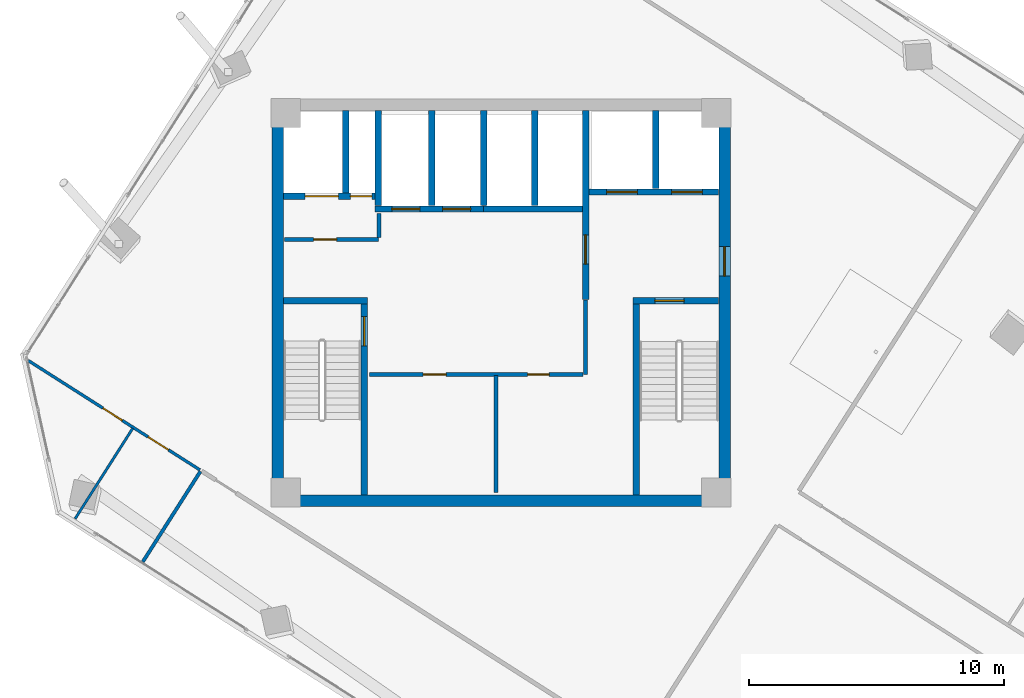
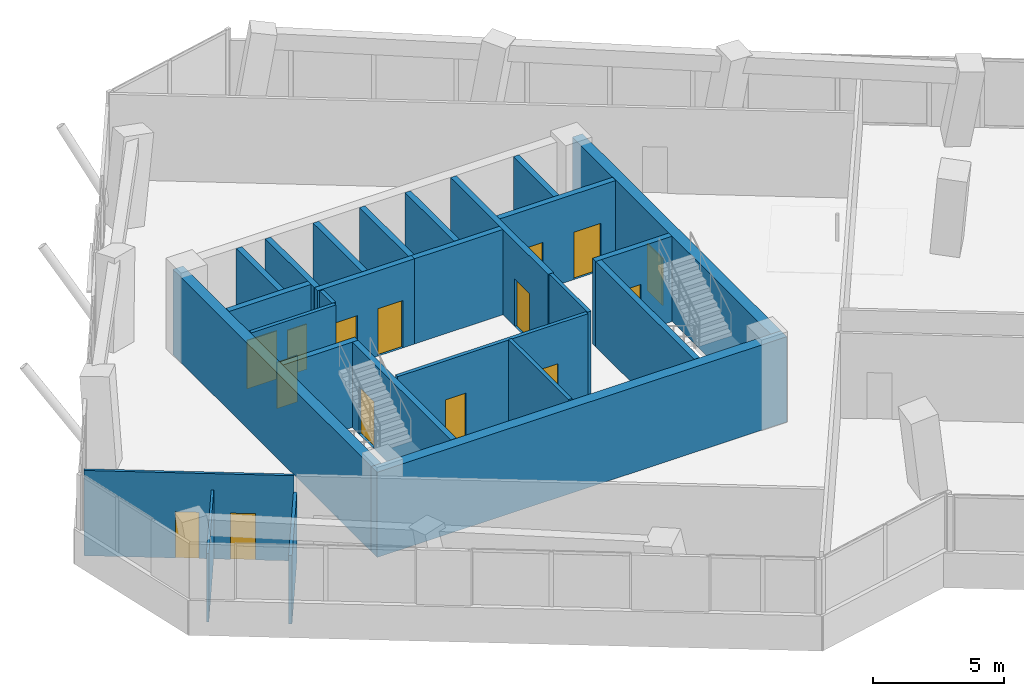
# One storey, part 18 of 24: 26 walls, 15 doors, 15 openings.
"""IFC4 building model written with IfcOpenShell, lengths in metres."""

from ifc_helpers import new_model, si_unit, direction, frame, frame_2d, origin, place, context, subcontext, project, spatial, rectangle, extrude, source, transform, mapped, material, layer, layer_set, type_object, element, fill, save


model = new_model("IFC4")

# Units and contexts
model_context = context("Model", 3, precision=1e-05, world=origin(), true_north=direction((0.0, 1.0)))
body_context = subcontext(model_context, "Body", "Model", "MODEL_VIEW")
ifc_project = project(units=[si_unit("LENGTHUNIT", "METRE"), si_unit("AREAUNIT", "SQUARE_METRE"), si_unit("VOLUMEUNIT", "CUBIC_METRE"), si_unit("PLANEANGLEUNIT", "RADIAN"), si_unit("MASSUNIT", "GRAM", prefix="KILO")], contexts=[model_context])

# Site, building, storey
site_placement = place(None, origin())
site = spatial("IfcSite", under=ifc_project, at=site_placement, CompositionType="ELEMENT")
building_placement = place(site_placement, origin())
building = spatial("IfcBuilding", under=site, at=building_placement, Name="Torre Montelarca", CompositionType="ELEMENT")
storey_placement = place(building_placement, frame((0.0, 0.0, 191.800048828125)))
storey = spatial("IfcBuildingStorey", under=building, at=storey_placement, Name="L43", CompositionType="ELEMENT", Elevation=191.800048828125)

# Wall, opening, door
ifc_material_1 = material(Name="Concrete C40/50", Category="concrete")
ifc_layer_1 = layer(ifc_material_1, 0.25, Name="Concrete C40/50", Category="concrete")
ifc_layer_set_1 = layer_set([ifc_layer_1], Name="Concrete C40/50")
wall_type_1 = type_object("IfcWallType", Name="CW-SHAFT-250", PredefinedType="SHEAR", material=ifc_layer_set_1)
wall_1_placement = place(storey_placement, frame((12.625, 24.4599609375, 0.0), z_axis=(0.0, 0.0, 1.0), x_axis=(0.0, 1.0, 0.0)))
wall_1 = element("IfcWall", 1, at=wall_1_placement, inside=storey, type_object=wall_type_1, Name="L43 Core Shear Wall SH-ST1-E", PredefinedType="SHEAR", context=body_context, shape_type="SweptSolid", body=[
    extrude(rectangle(XDim=7.489990234375, YDim=0.25, at=frame_2d((3.7451171875, 0.0))), origin(), (0.0, 0.0, 1.0), 3.9599609375),
])
opening_1_placement = place(wall_1_placement, frame((5.85009765625, 0.0, 0.0)))
opening_1 = element("IfcOpeningElement", 2, at=opening_1_placement, cuts=wall_1, Name="Opening FD-ST1", PredefinedType="OPENING", context=body_context, shape_type="SweptSolid", body=[
    extrude(rectangle(XDim=1.14990234375, YDim=2.199951171875, at=frame_2d((0.574951171875, 1.10009765625))), frame((0.0, 0.135009765625, 0.0), z_axis=(0.0, -1.0, 0.0), x_axis=(1.0, 0.0, 0.0)), (0.0, 0.0, 1.0), 0.27001953125),
])
ifc_material_2 = material(Name="Galvanized steel fire door", Category="steel")
door_type_1 = type_object("IfcDoorType", Name="DR-STAIR-115", OperationType="NOTDEFINED", PredefinedType="DOOR", material=ifc_material_2)
shared_shape_1 = source(origin(), body_context, "Body", "SweptSolid", [
    extrude(rectangle(XDim=1.14990234375, YDim=2.199951171875, at=frame_2d((0.574951171875, 1.10009765625))), frame((0.0, 0.02490234375, 0.0), z_axis=(0.0, -1.0, 0.0), x_axis=(1.0, 0.0, 0.0)), (0.0, 0.0, 1.0), 0.050048828125),
])
door_1_placement = place(opening_1_placement, origin())
door_1 = element("IfcDoor", 3, at=door_1_placement, inside=storey, type_object=door_type_1, Name="L43 Exit Stair ST1 Fire Door", OperationType="SINGLE_SWING_RIGHT", OverallHeight=2.199951171875, OverallWidth=1.14990234375, PredefinedType="DOOR", context=body_context, shape_type="MappedRepresentation", body=[
    mapped(shared_shape_1, transform((0.0, 0.0, 0.0), scale=1.0)),
])
fill(opening_1, door_1)

# Walls
wall_2_placement = place(storey_placement, frame((9.4599609375, 32.074951171875, 0.0), z_axis=(0.0, 0.0, 1.0), x_axis=(1.0, 0.0, 0.0)))
element("IfcWall", 4, at=wall_2_placement, inside=storey, type_object=wall_type_1, Name="L43 Core Shear Wall SH-ST1-N", PredefinedType="SHEAR", context=body_context, shape_type="SweptSolid", body=[
    extrude(rectangle(XDim=3.2900390625, YDim=0.25, at=frame_2d((1.64501953125, 0.0))), origin(), (0.0, 0.0, 1.0), 3.9599609375),
])
wall_3_placement = place(storey_placement, frame((23.31494140625, 24.4599609375, 0.0), z_axis=(0.0, 0.0, 1.0), x_axis=(0.0, 1.0, 0.0)))
element("IfcWall", 5, at=wall_3_placement, inside=storey, type_object=wall_type_1, Name="L43 Core Shear Wall SH-ST2-W", PredefinedType="SHEAR", context=body_context, shape_type="SweptSolid", body=[
    extrude(rectangle(XDim=7.489990234375, YDim=0.25, at=frame_2d((3.7451171875, 0.0))), origin(), (0.0, 0.0, 1.0), 3.9599609375),
])

# Wall, opening, door
wall_4_placement = place(storey_placement, frame((23.18994140625, 32.074951171875, 0.0), z_axis=(0.0, 0.0, 1.0), x_axis=(1.0, 0.0, 0.0)))
wall_4 = element("IfcWall", 6, at=wall_4_placement, inside=storey, type_object=wall_type_1, Name="L43 Core Shear Wall SH-ST2-N", PredefinedType="SHEAR", context=body_context, shape_type="SweptSolid", body=[
    extrude(rectangle(XDim=3.35009765625, YDim=0.25, at=frame_2d((1.675048828125, 0.0))), origin(), (0.0, 0.0, 1.0), 3.9599609375),
])
opening_2_placement = place(wall_4_placement, frame((0.85009765625, 0.0, 0.0)))
opening_2 = element("IfcOpeningElement", 7, at=opening_2_placement, cuts=wall_4, Name="Opening FD-ST1", PredefinedType="OPENING", context=body_context, shape_type="SweptSolid", body=[
    extrude(rectangle(XDim=1.14990234375, YDim=2.199951171875, at=frame_2d((0.574951171875, 1.10009765625))), frame((0.0, 0.135009765625, 0.0), z_axis=(0.0, -1.0, 0.0), x_axis=(1.0, 0.0, 0.0)), (0.0, 0.0, 1.0), 0.27001953125),
])
door_2_placement = place(opening_2_placement, origin())
door_2 = element("IfcDoor", 8, at=door_2_placement, inside=storey, type_object=door_type_1, Name="L43 Exit Stair ST2 Fire Door", OperationType="SINGLE_SWING_RIGHT", OverallHeight=2.199951171875, OverallWidth=1.14990234375, PredefinedType="DOOR", context=body_context, shape_type="MappedRepresentation", body=[
    mapped(shared_shape_1, transform((0.0, 0.0, 0.0), scale=1.0)),
])
fill(opening_2, door_2)

wall_5_placement = place(storey_placement, frame((21.320068359375, 32.1201171875, 0.0), z_axis=(0.0, 0.0, 1.0), x_axis=(0.0, 1.0, 0.0)))
wall_5 = element("IfcWall", 9, at=wall_5_placement, inside=storey, type_object=wall_type_1, Name="L43 Core Shear Wall SH-FFL-W", PredefinedType="SHEAR", context=body_context, shape_type="SweptSolid", body=[
    extrude(rectangle(XDim=7.419921875, YDim=0.25, at=frame_2d((3.7099609375, 0.0))), origin(), (0.0, 0.0, 1.0), 3.9599609375),
])
opening_3_placement = place(wall_5_placement, frame((1.39990234375, 0.0, 0.0)))
opening_3 = element("IfcOpeningElement", 10, at=opening_3_placement, cuts=wall_5, Name="Opening FD-LB1", PredefinedType="OPENING", context=body_context, shape_type="SweptSolid", body=[
    extrude(rectangle(XDim=1.14990234375, YDim=2.199951171875, at=frame_2d((0.574951171875, 1.10009765625))), frame((0.0, 0.135009765625, 0.0), z_axis=(0.0, -1.0, 0.0), x_axis=(1.0, 0.0, 0.0)), (0.0, 0.0, 1.0), 0.27001953125),
])
ifc_material_3 = material(Name="Acoustic timber-veneered fire door", Category="wood")
door_type_2 = type_object("IfcDoorType", Name="DR-LOBBY-115", OperationType="NOTDEFINED", PredefinedType="DOOR", material=ifc_material_3)
shared_shape_2 = source(origin(), body_context, "Body", "SweptSolid", [
    extrude(rectangle(XDim=1.14990234375, YDim=2.199951171875, at=frame_2d((0.574951171875, 1.10009765625))), frame((0.0, 0.02490234375, 0.0), z_axis=(0.0, -1.0, 0.0), x_axis=(1.0, 0.0, 0.0)), (0.0, 0.0, 1.0), 0.050048828125),
])
door_3_placement = place(opening_3_placement, origin())
door_3 = element("IfcDoor", 11, at=door_3_placement, inside=storey, type_object=door_type_2, Name="L43 Lift Lobby to Firefighting Lobby Smoke Door", OperationType="SINGLE_SWING_LEFT", OverallHeight=2.199951171875, OverallWidth=1.14990234375, PredefinedType="DOOR", context=body_context, shape_type="MappedRepresentation", body=[
    mapped(shared_shape_2, transform((0.0, 0.0, 0.0), scale=1.0)),
])
fill(opening_3, door_3)

# Wall, openings, doors
wall_6_placement = place(storey_placement, frame((9.4599609375, 36.179931640625, 0.0), z_axis=(0.0, 0.0, 1.0), x_axis=(1.0, 0.0, 0.0)))
wall_6 = element("IfcWall", 12, at=wall_6_placement, inside=storey, type_object=wall_type_1, Name="L43 Core Shear Wall SH-SV1-S", PredefinedType="SHEAR", context=body_context, shape_type="SweptSolid", body=[
    extrude(rectangle(XDim=3.7900390625, YDim=0.25, at=frame_2d((1.89501953125, 0.0))), origin(), (0.0, 0.0, 1.0), 3.9599609375),
])
opening_4_placement = place(wall_6_placement, frame((2.6201171875, 0.0, 0.0)))
opening_4 = element("IfcOpeningElement", 13, at=opening_4_placement, cuts=wall_6, Name="Opening FD-085", PredefinedType="OPENING", context=body_context, shape_type="SweptSolid", body=[
    extrude(rectangle(XDim=0.85009765625, YDim=2.10009765625, at=frame_2d((0.425048828125, 1.050048828125))), frame((0.0, 0.135009765625, 0.0), z_axis=(0.0, -1.0, 0.0), x_axis=(1.0, 0.0, 0.0)), (0.0, 0.0, 1.0), 0.27001953125),
])
opening_5_placement = place(wall_6_placement, frame((0.85009765625, 0.0, 0.0)))
opening_5 = element("IfcOpeningElement", 14, at=opening_5_placement, cuts=wall_6, Name="Opening LD-130", PredefinedType="OPENING", context=body_context, shape_type="SweptSolid", body=[
    extrude(rectangle(XDim=1.300048828125, YDim=2.25, at=frame_2d((0.64990234375, 1.125))), frame((0.0, 0.135009765625, 0.0), z_axis=(0.0, -1.0, 0.0), x_axis=(1.0, 0.0, 0.0)), (0.0, 0.0, 1.0), 0.27001953125),
])
ifc_material_4 = material(Name="Steel riser access fire door", Category="steel")
door_type_3 = type_object("IfcDoorType", Name="DR-RISER-085", OperationType="NOTDEFINED", PredefinedType="DOOR", material=ifc_material_4)
shared_shape_3 = source(origin(), body_context, "Body", "SweptSolid", [
    extrude(rectangle(XDim=0.85009765625, YDim=2.10009765625, at=frame_2d((0.425048828125, 1.050048828125))), frame((0.0, 0.02490234375, 0.0), z_axis=(0.0, -1.0, 0.0), x_axis=(1.0, 0.0, 0.0)), (0.0, 0.0, 1.0), 0.050048828125),
])
door_4_placement = place(opening_4_placement, origin())
door_4 = element("IfcDoor", 15, at=door_4_placement, inside=storey, type_object=door_type_3, Name="L43 Electrical Riser Shaft Access Door", OperationType="SINGLE_SWING_RIGHT", OverallHeight=2.10009765625, OverallWidth=0.85009765625, PredefinedType="DOOR", context=body_context, shape_type="MappedRepresentation", body=[
    mapped(shared_shape_3, transform((0.0, 0.0, 0.0), scale=1.0)),
])
fill(opening_4, door_4)
ifc_material_5 = material(Name="Brushed stainless steel AISI 316", Category="steel")
door_type_4 = type_object("IfcDoorType", Name="DR-LIFT-130", OperationType="SLIDING_TO_LEFT", PredefinedType="DOOR", material=ifc_material_5)
shared_shape_4 = source(origin(), body_context, "Body", "SweptSolid", [
    extrude(rectangle(XDim=1.300048828125, YDim=2.25, at=frame_2d((0.64990234375, 1.125))), frame((0.0, 0.02490234375, 0.0), z_axis=(0.0, -1.0, 0.0), x_axis=(1.0, 0.0, 0.0)), (0.0, 0.0, 1.0), 0.050048828125),
])
door_5_placement = place(opening_5_placement, origin())
door_5 = element("IfcDoor", 16, at=door_5_placement, inside=storey, type_object=door_type_4, Name="L43 Lift Landing Sliding Door SV-1", OperationType="SLIDING_TO_LEFT", OverallHeight=2.25, OverallWidth=1.300048828125, PredefinedType="DOOR", context=body_context, shape_type="MappedRepresentation", body=[
    mapped(shared_shape_4, transform((0.0, 0.0, 0.0), scale=1.0)),
])
fill(opening_5, door_5)

# Wall
wall_7_placement = place(storey_placement, frame((11.89990234375, 36.31005859375, 0.0), z_axis=(0.0, 0.0, 1.0), x_axis=(0.0, 1.0, 0.0)))
element("IfcWall", 17, at=wall_7_placement, inside=storey, type_object=wall_type_1, Name="L43 Core Shear Wall SH-SV1-E", PredefinedType="SHEAR", context=body_context, shape_type="SweptSolid", body=[
    extrude(rectangle(XDim=3.22998046875, YDim=0.25, at=frame_2d((1.614990234375, 0.0))), origin(), (0.0, 0.0, 1.0), 3.9599609375),
])

# Wall, openings, doors
wall_8_placement = place(storey_placement, frame((21.449951171875, 36.35009765625, 0.0), z_axis=(0.0, 0.0, 1.0), x_axis=(1.0, 0.0, 0.0)))
wall_8 = element("IfcWall", 18, at=wall_8_placement, inside=storey, type_object=wall_type_1, Name="L43 Core Shear Wall SH-FF-S", PredefinedType="SHEAR", context=body_context, shape_type="SweptSolid", body=[
    extrude(rectangle(XDim=5.090087890625, YDim=0.25, at=frame_2d((2.544921875, 0.0))), origin(), (0.0, 0.0, 1.0), 3.9599609375),
])
opening_6_placement = place(wall_8_placement, frame((0.699951171875, 0.0, 0.0)))
opening_6 = element("IfcOpeningElement", 19, at=opening_6_placement, cuts=wall_8, Name="Opening LD-120", PredefinedType="OPENING", context=body_context, shape_type="SweptSolid", body=[
    extrude(rectangle(XDim=1.199951171875, YDim=2.199951171875, at=frame_2d((0.60009765625, 1.10009765625))), frame((0.0, 0.135009765625, 0.0), z_axis=(0.0, -1.0, 0.0), x_axis=(1.0, 0.0, 0.0)), (0.0, 0.0, 1.0), 0.27001953125),
])
opening_7_placement = place(wall_8_placement, frame((3.25, 0.0, 0.0)))
opening_7 = element("IfcOpeningElement", 20, at=opening_7_placement, cuts=wall_8, Name="Opening LD-120", PredefinedType="OPENING", context=body_context, shape_type="SweptSolid", body=[
    extrude(rectangle(XDim=1.199951171875, YDim=2.199951171875, at=frame_2d((0.60009765625, 1.10009765625))), frame((0.0, 0.135009765625, 0.0), z_axis=(0.0, -1.0, 0.0), x_axis=(1.0, 0.0, 0.0)), (0.0, 0.0, 1.0), 0.27001953125),
])
door_type_5 = type_object("IfcDoorType", Name="DR-LIFT-120", OperationType="SLIDING_TO_RIGHT", PredefinedType="DOOR", material=ifc_material_5)
shared_shape_5 = source(origin(), body_context, "Body", "SweptSolid", [
    extrude(rectangle(XDim=1.199951171875, YDim=2.199951171875, at=frame_2d((0.60009765625, 1.10009765625))), frame((0.0, 0.02490234375, 0.0), z_axis=(0.0, -1.0, 0.0), x_axis=(1.0, 0.0, 0.0)), (0.0, 0.0, 1.0), 0.050048828125),
])
door_6_placement = place(opening_6_placement, origin())
door_6 = element("IfcDoor", 21, at=door_6_placement, inside=storey, type_object=door_type_5, Name="L43 Lift Landing Sliding Door FF-1", OperationType="SLIDING_TO_LEFT", OverallHeight=2.199951171875, OverallWidth=1.199951171875, PredefinedType="DOOR", context=body_context, shape_type="MappedRepresentation", body=[
    mapped(shared_shape_5, transform((0.0, 0.0, 0.0), scale=1.0)),
])
fill(opening_6, door_6)
door_7_placement = place(opening_7_placement, origin())
door_7 = element("IfcDoor", 22, at=door_7_placement, inside=storey, type_object=door_type_5, Name="L43 Lift Landing Sliding Door FF-2", OperationType="SLIDING_TO_RIGHT", OverallHeight=2.199951171875, OverallWidth=1.199951171875, PredefinedType="DOOR", context=body_context, shape_type="MappedRepresentation", body=[
    mapped(shared_shape_5, transform((0.0, 0.0, 0.0), scale=1.0)),
])
fill(opening_7, door_7)

# Wall
wall_9_placement = place(storey_placement, frame((24.080078125, 36.47998046875, 0.0), z_axis=(0.0, 0.0, 1.0), x_axis=(0.0, 1.0, 0.0)))
element("IfcWall", 23, at=wall_9_placement, inside=storey, type_object=wall_type_1, Name="L43 Core Shear Wall SH-FF-M", PredefinedType="SHEAR", context=body_context, shape_type="SweptSolid", body=[
    extrude(rectangle(XDim=3.06005859375, YDim=0.25, at=frame_2d((1.530029296875, 0.0))), origin(), (0.0, 0.0, 1.0), 3.9599609375),
])

# Wall, openings, doors
wall_10_placement = place(storey_placement, frame((13.06005859375, 35.679931640625, 0.0), z_axis=(0.0, 0.0, 1.0), x_axis=(1.0, 0.0, 0.0)))
wall_10 = element("IfcWall", 24, at=wall_10_placement, inside=storey, type_object=wall_type_1, Name="L43 Core Shear Wall SH-PLM-S", PredefinedType="SHEAR", context=body_context, shape_type="SweptSolid", body=[
    extrude(rectangle(XDim=4.25, YDim=0.25, at=frame_2d((2.125, 0.0))), origin(), (0.0, 0.0, 1.0), 3.9599609375),
])
opening_8_placement = place(wall_10_placement, frame((0.64990234375, 0.0, 0.0)))
opening_8 = element("IfcOpeningElement", 25, at=opening_8_placement, cuts=wall_10, Name="Opening LD-110", PredefinedType="OPENING", context=body_context, shape_type="SweptSolid", body=[
    extrude(rectangle(XDim=1.10009765625, YDim=2.199951171875, at=frame_2d((0.550048828125, 1.10009765625))), frame((0.0, 0.135009765625, 0.0), z_axis=(0.0, -1.0, 0.0), x_axis=(1.0, 0.0, 0.0)), (0.0, 0.0, 1.0), 0.27001953125),
])
opening_9_placement = place(wall_10_placement, frame((2.64990234375, 0.0, 0.0)))
opening_9 = element("IfcOpeningElement", 26, at=opening_9_placement, cuts=wall_10, Name="Opening LD-110", PredefinedType="OPENING", context=body_context, shape_type="SweptSolid", body=[
    extrude(rectangle(XDim=1.10009765625, YDim=2.199951171875, at=frame_2d((0.550048828125, 1.10009765625))), frame((0.0, 0.135009765625, 0.0), z_axis=(0.0, -1.0, 0.0), x_axis=(1.0, 0.0, 0.0)), (0.0, 0.0, 1.0), 0.27001953125),
])
door_type_6 = type_object("IfcDoorType", Name="DR-LIFT-110", OperationType="SLIDING_TO_LEFT", PredefinedType="DOOR", material=ifc_material_5)
shared_shape_6 = source(origin(), body_context, "Body", "SweptSolid", [
    extrude(rectangle(XDim=1.10009765625, YDim=2.199951171875, at=frame_2d((0.550048828125, 1.10009765625))), frame((0.0, 0.02490234375, 0.0), z_axis=(0.0, -1.0, 0.0), x_axis=(1.0, 0.0, 0.0)), (0.0, 0.0, 1.0), 0.050048828125),
])
door_8_placement = place(opening_8_placement, origin())
door_8 = element("IfcDoor", 27, at=door_8_placement, inside=storey, type_object=door_type_6, Name="L43 Lift Landing Sliding Door PL-M1", OperationType="SLIDING_TO_LEFT", OverallHeight=2.199951171875, OverallWidth=1.10009765625, PredefinedType="DOOR", context=body_context, shape_type="MappedRepresentation", body=[
    mapped(shared_shape_6, transform((0.0, 0.0, 0.0), scale=1.0)),
])
fill(opening_8, door_8)
door_9_placement = place(opening_9_placement, origin())
door_9 = element("IfcDoor", 28, at=door_9_placement, inside=storey, type_object=door_type_6, Name="L43 Lift Landing Sliding Door PL-M2", OperationType="SLIDING_TO_RIGHT", OverallHeight=2.199951171875, OverallWidth=1.10009765625, PredefinedType="DOOR", context=body_context, shape_type="MappedRepresentation", body=[
    mapped(shared_shape_6, transform((0.0, 0.0, 0.0), scale=1.0)),
])
fill(opening_9, door_9)

# Walls
for number, where, z_axis, x_axis, name in (
    (29, (13.179931640625, 35.81005859375, 0.0), (0.0, 0.0, 1.0), (0.0, 1.0, 0.0), "L43 Core Shear Wall SH-PLM-W"),
    (30, (15.280029296875, 35.81005859375, 0.0), (0.0, 0.0, 1.0), (0.0, 1.0, 0.0), "L43 Core Shear Wall SH-PLM-M"),
):
    element("IfcWall", number, at=place(storey_placement, frame(where, z_axis=z_axis, x_axis=x_axis)), inside=storey, type_object=wall_type_1, Name=name, PredefinedType="SHEAR", context=body_context, shape_type="SweptSolid", body=[
        extrude(rectangle(XDim=3.72998046875, YDim=0.25, at=frame_2d((1.864990234375, 0.0))), origin(), (0.0, 0.0, 1.0), 3.9599609375),
    ])
wall_11_placement = place(storey_placement, frame((17.320068359375, 35.679931640625, 0.0), z_axis=(0.0, 0.0, 1.0), x_axis=(1.0, 0.0, 0.0)))
element("IfcWall", 31, at=wall_11_placement, inside=storey, type_object=wall_type_1, Name="L43 Core Shear Wall SH-PLH-S", PredefinedType="SHEAR", context=body_context, shape_type="SweptSolid", body=[
    extrude(rectangle(XDim=3.869873046875, YDim=0.25, at=frame_2d((1.93505859375, 0.0))), origin(), (0.0, 0.0, 1.0), 3.9599609375),
])
for number, where, z_axis, x_axis, name in (
    (32, (17.320068359375, 35.81005859375, 0.0), (0.0, 0.0, 1.0), (0.0, 1.0, 0.0), "L43 Core Shear Wall SH-PLH-W"),
    (33, (19.320068359375, 35.81005859375, 0.0), (0.0, 0.0, 1.0), (0.0, 1.0, 0.0), "L43 Core Shear Wall SH-PLH-M"),
):
    element("IfcWall", number, at=place(storey_placement, frame(where, z_axis=z_axis, x_axis=x_axis)), inside=storey, type_object=wall_type_1, Name=name, PredefinedType="SHEAR", context=body_context, shape_type="SweptSolid", body=[
        extrude(rectangle(XDim=3.72998046875, YDim=0.25, at=frame_2d((1.864990234375, 0.0))), origin(), (0.0, 0.0, 1.0), 3.9599609375),
    ])
ifc_material_6 = material(Name="Concrete C55/67", Category="concrete")
ifc_layer_2 = layer(ifc_material_6, 0.449951171875, Name="Concrete C55/67", Category="concrete")
ifc_layer_set_2 = layer_set([ifc_layer_2], Name="Concrete C55/67")
wall_type_2 = type_object("IfcWallType", Name="CW-SHEAR-450", PredefinedType="SHEAR", material=ifc_layer_set_2)
wall_12_placement = place(storey_placement, frame((9.22509765625, 24.449951171875, 0.0), z_axis=(0.0, 0.0, 1.0), x_axis=(0.0, 1.0, 0.0)))
element("IfcWall", 34, at=wall_12_placement, inside=storey, type_object=wall_type_2, Name="L43 Core Shear Wall CW-W", PredefinedType="SHEAR", context=body_context, shape_type="SweptSolid", body=[
    extrude(rectangle(XDim=15.10009765625, YDim=0.449951171875, at=frame_2d((7.550048828125, 0.0))), origin(), (0.0, 0.0, 1.0), 3.9599609375),
])

# Wall, opening, door
wall_13_placement = place(storey_placement, frame((26.77490234375, 24.449951171875, 0.0), z_axis=(0.0, 0.0, 1.0), x_axis=(0.0, 1.0, 0.0)))
wall_13 = element("IfcWall", 35, at=wall_13_placement, inside=storey, type_object=wall_type_2, Name="L43 Core Shear Wall CW-E", PredefinedType="SHEAR", context=body_context, shape_type="SweptSolid", body=[
    extrude(rectangle(XDim=15.10009765625, YDim=0.449951171875, at=frame_2d((7.550048828125, 0.0))), origin(), (0.0, 0.0, 1.0), 3.9599609375),
])
opening_10_placement = place(wall_13_placement, frame((8.60009765625, 0.0, 0.0)))
opening_10 = element("IfcOpeningElement", 36, at=opening_10_placement, cuts=wall_13, Name="Opening FD-LB1", PredefinedType="OPENING", context=body_context, shape_type="SweptSolid", body=[
    extrude(rectangle(XDim=1.14990234375, YDim=2.199951171875, at=frame_2d((0.574951171875, 1.10009765625))), frame((0.0, 0.23486328125, 0.0), z_axis=(0.0, -1.0, 0.0), x_axis=(1.0, 0.0, 0.0)), (0.0, 0.0, 1.0), 0.469970703125),
])
door_10_placement = place(opening_10_placement, origin())
door_10 = element("IfcDoor", 37, at=door_10_placement, inside=storey, type_object=door_type_2, Name="L43 Firefighting Lift Lobby Corridor Fire Door", OperationType="SINGLE_SWING_RIGHT", OverallHeight=2.199951171875, OverallWidth=1.14990234375, PredefinedType="DOOR", context=body_context, shape_type="MappedRepresentation", body=[
    mapped(shared_shape_2, transform((0.0, 0.0, 0.0), scale=1.0)),
])
fill(opening_10, door_10)

# Wall
wall_14_placement = place(storey_placement, frame((9.0, 24.22509765625, 0.0), z_axis=(0.0, 0.0, 1.0), x_axis=(1.0, 0.0, 0.0)))
element("IfcWall", 38, at=wall_14_placement, inside=storey, type_object=wall_type_2, Name="L43 Core Shear Wall CW-S1", PredefinedType="SHEAR", context=body_context, shape_type="SweptSolid", body=[
    extrude(rectangle(XDim=18.0, YDim=0.449951171875, at=frame_2d((9.0, 0.0))), origin(), (0.0, 0.0, 1.0), 3.9599609375),
])

# Wall, opening, door
ifc_material_7 = material(Name="Gypsum plasterboard on steel stud", Category="steel")
ifc_layer_3 = layer(ifc_material_7, 0.159912109375, Name="Gypsum plasterboard on steel stud", Category="steel")
ifc_layer_set_3 = layer_set([ifc_layer_3], Name="Gypsum plasterboard on steel stud")
wall_type_3 = type_object("IfcWallType", Name="PW-FIRE-160", PredefinedType="PARTITIONING", material=ifc_layer_set_3)
wall_15_placement = place(storey_placement, frame((9.489990234375, 34.47998046875, 0.0), z_axis=(0.0, 0.0, 1.0), x_axis=(1.0, 0.0, 0.0)))
wall_15 = element("IfcWall", 39, at=wall_15_placement, inside=storey, type_object=wall_type_3, Name="L43 Interior Partition CW-L43-SVS", PredefinedType="PARTITIONING", context=body_context, shape_type="SweptSolid", body=[
    extrude(rectangle(XDim=3.699951171875, YDim=0.159912109375, at=frame_2d((1.85009765625, 0.0))), origin(), (0.0, 0.0, 1.0), 3.9599609375),
])
opening_11_placement = place(wall_15_placement, frame((1.14990234375, 0.0, 0.0)))
opening_11 = element("IfcOpeningElement", 40, at=opening_11_placement, cuts=wall_15, Name="Opening FD-090", PredefinedType="OPENING", context=body_context, shape_type="SweptSolid", body=[
    extrude(rectangle(XDim=0.89990234375, YDim=2.14990234375, at=frame_2d((0.449951171875, 1.074951171875))), frame((0.0, 0.08984375, 0.0), z_axis=(0.0, -1.0, 0.0), x_axis=(1.0, 0.0, 0.0)), (0.0, 0.0, 1.0), 0.179931640625),
])
ifc_material_8 = material(Name="Steel service fire door", Category="steel")
door_type_7 = type_object("IfcDoorType", Name="DR-FIRE-090", OperationType="NOTDEFINED", PredefinedType="DOOR", material=ifc_material_8)
shared_shape_7 = source(origin(), body_context, "Body", "SweptSolid", [
    extrude(rectangle(XDim=0.89990234375, YDim=2.14990234375, at=frame_2d((0.449951171875, 1.074951171875))), frame((0.0, 0.02490234375, 0.0), z_axis=(0.0, -1.0, 0.0), x_axis=(1.0, 0.0, 0.0)), (0.0, 0.0, 1.0), 0.050048828125),
])
door_11_placement = place(opening_11_placement, origin())
door_11 = element("IfcDoor", 41, at=door_11_placement, inside=storey, type_object=door_type_7, Name="L43 Interior Door 01", OperationType="SINGLE_SWING_RIGHT", OverallHeight=2.14990234375, OverallWidth=0.89990234375, PredefinedType="DOOR", context=body_context, shape_type="MappedRepresentation", body=[
    mapped(shared_shape_7, transform((0.0, 0.0, 0.0), scale=1.0)),
])
fill(opening_11, door_11)

# Wall
wall_16_placement = place(storey_placement, frame((13.199951171875, 34.570068359375, 0.0), z_axis=(0.0, 0.0, 1.0), x_axis=(0.0, 1.0, 0.0)))
element("IfcWall", 42, at=wall_16_placement, inside=storey, type_object=wall_type_3, Name="L43 Interior Partition CW-L43-SVE", PredefinedType="PARTITIONING", context=body_context, shape_type="SweptSolid", body=[
    extrude(rectangle(XDim=0.93994140625, YDim=0.159912109375, at=frame_2d((0.469970703125, 0.0))), origin(), (0.0, 0.0, 1.0), 3.9599609375),
])

# Wall, openings, doors
wall_17_placement = place(storey_placement, frame((12.840087890625, 29.179931640625, 0.0), z_axis=(0.0, 0.0, 1.0), x_axis=(1.0, 0.0, 0.0)))
wall_17 = element("IfcWall", 43, at=wall_17_placement, inside=storey, type_object=wall_type_3, Name="L43 Interior Partition CW-L43-FRDN", PredefinedType="PARTITIONING", context=body_context, shape_type="SweptSolid", body=[
    extrude(rectangle(XDim=8.369873046875, YDim=0.159912109375, at=frame_2d((4.18505859375, 0.0))), origin(), (0.0, 0.0, 1.0), 3.9599609375),
])
opening_12_placement = place(wall_17_placement, frame((2.10009765625, 0.0, 0.0)))
opening_12 = element("IfcOpeningElement", 44, at=opening_12_placement, cuts=wall_17, Name="Opening FD-090", PredefinedType="OPENING", context=body_context, shape_type="SweptSolid", body=[
    extrude(rectangle(XDim=0.89990234375, YDim=2.14990234375, at=frame_2d((0.449951171875, 1.074951171875))), frame((0.0, 0.08984375, 0.0), z_axis=(0.0, -1.0, 0.0), x_axis=(1.0, 0.0, 0.0)), (0.0, 0.0, 1.0), 0.179931640625),
])
opening_13_placement = place(wall_17_placement, frame((6.199951171875, 0.0, 0.0)))
opening_13 = element("IfcOpeningElement", 45, at=opening_13_placement, cuts=wall_17, Name="Opening FD-085", PredefinedType="OPENING", context=body_context, shape_type="SweptSolid", body=[
    extrude(rectangle(XDim=0.85009765625, YDim=2.10009765625, at=frame_2d((0.425048828125, 1.050048828125))), frame((0.0, 0.08984375, 0.0), z_axis=(0.0, -1.0, 0.0), x_axis=(1.0, 0.0, 0.0)), (0.0, 0.0, 1.0), 0.179931640625),
])
door_12_placement = place(opening_13_placement, origin())
door_12 = element("IfcDoor", 46, at=door_12_placement, inside=storey, type_object=door_type_3, Name="L43 Interior Door 03", OperationType="SINGLE_SWING_LEFT", OverallHeight=2.10009765625, OverallWidth=0.85009765625, PredefinedType="DOOR", context=body_context, shape_type="MappedRepresentation", body=[
    mapped(shared_shape_3, transform((0.0, 0.0, 0.0), scale=1.0)),
])
fill(opening_13, door_12)
door_13_placement = place(opening_12_placement, origin())
door_13 = element("IfcDoor", 47, at=door_13_placement, inside=storey, type_object=door_type_7, Name="L43 Interior Door 02", OperationType="SINGLE_SWING_RIGHT", OverallHeight=2.14990234375, OverallWidth=0.89990234375, PredefinedType="DOOR", context=body_context, shape_type="MappedRepresentation", body=[
    mapped(shared_shape_7, transform((0.0, 0.0, 0.0), scale=1.0)),
])
fill(opening_12, door_13)

# Walls
wall_18_placement = place(storey_placement, frame((17.800048828125, 24.5400390625, 0.0), z_axis=(0.0, 0.0, 1.0), x_axis=(0.0, 1.0, 0.0)))
element("IfcWall", 48, at=wall_18_placement, inside=storey, type_object=wall_type_3, Name="L43 Interior Partition CW-L43-FRD1", PredefinedType="PARTITIONING", context=body_context, shape_type="SweptSolid", body=[
    extrude(rectangle(XDim=4.599853515625, YDim=0.159912109375, at=frame_2d((2.2998046875, 0.0))), origin(), (0.0, 0.0, 1.0), 3.9599609375),
])
wall_19_placement = place(storey_placement, frame((21.320068359375, 29.18994140625, 0.0), z_axis=(0.0, 0.0, 1.0), x_axis=(0.0, 1.0, 0.0)))
element("IfcWall", 49, at=wall_19_placement, inside=storey, type_object=wall_type_3, Name="L43 Interior Partition CW-L43-FRE", PredefinedType="PARTITIONING", context=body_context, shape_type="SweptSolid", body=[
    extrude(rectangle(XDim=2.920166015625, YDim=0.159912109375, at=frame_2d((1.4599609375, 0.0))), origin(), (0.0, 0.0, 1.0), 3.9599609375),
])
ifc_material_9 = material(Name="Acoustic laminated glass partition", Category="glass")
ifc_layer_4 = layer(ifc_material_9, 0.10009765625, Name="Acoustic laminated glass partition", Category="glass")
ifc_layer_set_4 = layer_set([ifc_layer_4], Name="Acoustic laminated glass partition")
wall_type_4 = type_object("IfcWallType", Name="PW-GLAZ-100", PredefinedType="PARTITIONING", material=ifc_layer_set_4)
wall_20_placement = place(storey_placement, frame((1.275390625, 23.518310546875, 0.0), z_axis=(0.0, 0.0, 1.0), x_axis=(0.537318174822, 0.843379617376, 0.0)))
element("IfcWall", 50, at=wall_20_placement, inside=storey, type_object=wall_type_4, Name="L43 Interior Partition W-L43-WCD", PredefinedType="PARTITIONING", context=body_context, shape_type="SweptSolid", body=[
    extrude(rectangle(XDim=4.210205078125, YDim=0.10009765625, at=frame_2d((2.10498046875, 0.0))), origin(), (0.0, 0.0, 1.0), 3.195068359375),
])

# Wall, openings, doors
ifc_layer_5 = layer(ifc_material_7, 0.114990234375, Name="Gypsum plasterboard on steel stud", Category="steel")
ifc_layer_set_5 = layer_set([ifc_layer_5], Name="Gypsum plasterboard on steel stud")
wall_type_5 = type_object("IfcWallType", Name="PW-PART-115", PredefinedType="PARTITIONING", material=ifc_layer_set_5)
wall_21_placement = place(storey_placement, frame((-0.56689453125, 29.731201171875, 0.0), z_axis=(0.0, 0.0, 1.0), x_axis=(0.843398817975, -0.537288036195, 0.0)))
wall_21 = element("IfcWall", 51, at=wall_21_placement, inside=storey, type_object=wall_type_5, Name="L43 Interior Partition W-L43-WCN", PredefinedType="PARTITIONING", context=body_context, shape_type="SweptSolid", body=[
    extrude(rectangle(XDim=8.001953125, YDim=0.114990234375, at=frame_2d((4.0009765625, 0.0))), origin(), (0.0, 0.0, 1.0), 3.9599609375),
])
opening_14_placement = place(wall_21_placement, frame((3.47998046875, 0.0, 0.0)))
opening_14 = element("IfcOpeningElement", 52, at=opening_14_placement, cuts=wall_21, Name="Opening ID-090", PredefinedType="OPENING", context=body_context, shape_type="SweptSolid", body=[
    extrude(rectangle(XDim=0.89990234375, YDim=2.14990234375, at=frame_2d((0.449951171875, 1.074951171875))), frame((0.0, 0.0673828125, 0.0), z_axis=(0.0, -1.0, 0.0), x_axis=(1.0, 0.0, 0.0)), (0.0, 0.0, 1.0), 0.135009765625),
])
opening_15_placement = place(wall_21_placement, frame((5.580078125, 0.0, 0.0)))
opening_15 = element("IfcOpeningElement", 53, at=opening_15_placement, cuts=wall_21, Name="Opening ID-095", PredefinedType="OPENING", context=body_context, shape_type="SweptSolid", body=[
    extrude(rectangle(XDim=0.949951171875, YDim=2.14990234375, at=frame_2d((0.47509765625, 1.074951171875))), frame((0.0, 0.0673828125, 0.0), z_axis=(0.0, -1.0, 0.0), x_axis=(1.0, 0.0, 0.0)), (0.0, 0.0, 1.0), 0.135009765625),
])
ifc_material_10 = material(Name="Hardwood acoustic timber veneer", Category="wood")
door_type_8 = type_object("IfcDoorType", Name="DR-INT-090", OperationType="NOTDEFINED", PredefinedType="DOOR", material=ifc_material_10)
shared_shape_8 = source(origin(), body_context, "Body", "SweptSolid", [
    extrude(rectangle(XDim=0.89990234375, YDim=2.14990234375, at=frame_2d((0.449951171875, 1.074951171875))), frame((0.0, 0.02490234375, 0.0), z_axis=(0.0, -1.0, 0.0), x_axis=(1.0, 0.0, 0.0)), (0.0, 0.0, 1.0), 0.050048828125),
])
door_14_placement = place(opening_14_placement, origin())
door_14 = element("IfcDoor", 54, at=door_14_placement, inside=storey, type_object=door_type_8, Name="L43 Interior Door 04", OperationType="SINGLE_SWING_LEFT", OverallHeight=2.14990234375, OverallWidth=0.89990234375, PredefinedType="DOOR", context=body_context, shape_type="MappedRepresentation", body=[
    mapped(shared_shape_8, transform((0.0, 0.0, 0.0), scale=1.0)),
])
fill(opening_14, door_14)
door_type_9 = type_object("IfcDoorType", Name="DR-INT-095", OperationType="NOTDEFINED", PredefinedType="DOOR", material=ifc_material_10)
shared_shape_9 = source(origin(), body_context, "Body", "SweptSolid", [
    extrude(rectangle(XDim=0.949951171875, YDim=2.14990234375, at=frame_2d((0.47509765625, 1.074951171875))), frame((0.0, 0.02490234375, 0.0), z_axis=(0.0, -1.0, 0.0), x_axis=(1.0, 0.0, 0.0)), (0.0, 0.0, 1.0), 0.050048828125),
])
door_15_placement = place(opening_15_placement, origin())
door_15 = element("IfcDoor", 55, at=door_15_placement, inside=storey, type_object=door_type_9, Name="L43 Interior Door 05", OperationType="SINGLE_SWING_RIGHT", OverallHeight=2.14990234375, OverallWidth=0.949951171875, PredefinedType="DOOR", context=body_context, shape_type="MappedRepresentation", body=[
    mapped(shared_shape_9, transform((0.0, 0.0, 0.0), scale=1.0)),
])
fill(opening_15, door_15)

# Wall
ifc_layer_6 = layer(ifc_material_7, 0.135009765625, Name="Gypsum plasterboard on steel stud", Category="steel")
ifc_layer_set_6 = layer_set([ifc_layer_6], Name="Gypsum plasterboard on steel stud")
wall_type_6 = type_object("IfcWallType", Name="PW-PART-135", PredefinedType="PARTITIONING", material=ifc_layer_set_6)
wall_22_placement = place(storey_placement, frame((3.93212890625, 21.82568359375, 0.0), z_axis=(0.0, 0.0, 1.0), x_axis=(0.537250649862, 0.84342263381, 0.0)))
element("IfcWall", 56, at=wall_22_placement, inside=storey, type_object=wall_type_6, Name="L43 Interior Partition W-L43-SWCDIV", PredefinedType="PARTITIONING", context=body_context, shape_type="SweptSolid", body=[
    extrude(rectangle(XDim=4.210205078125, YDim=0.135009765625, at=frame_2d((2.10498046875, 0.0))), origin(), (0.0, 0.0, 1.0), 3.195068359375),
])

save(model, "model.ifc")
